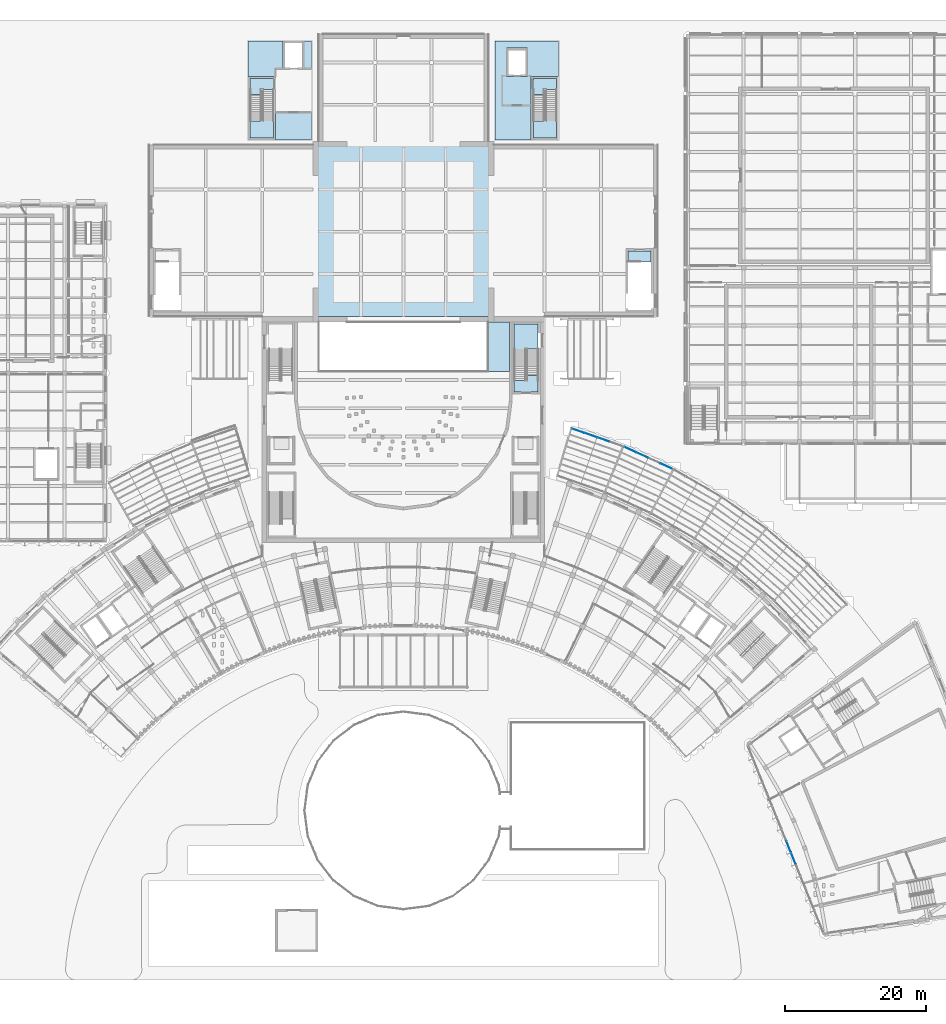
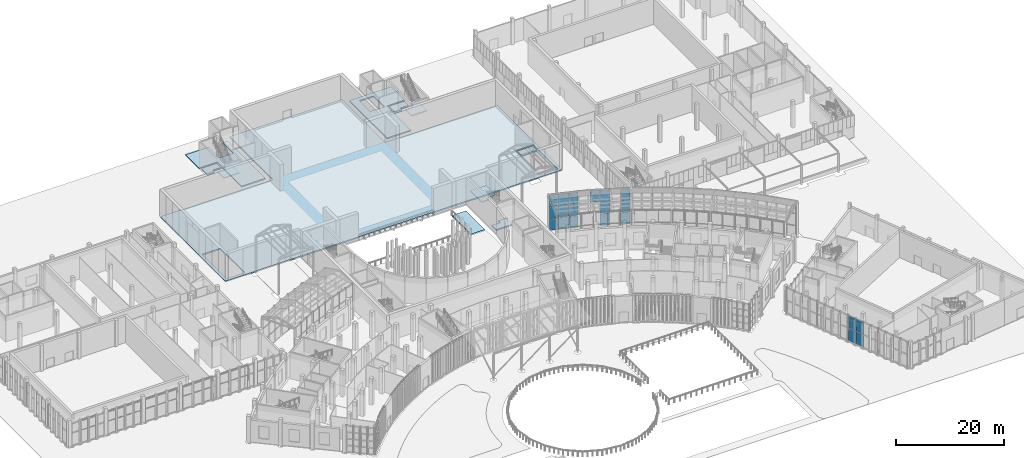
# One storey, part 85 of 155: 20 plates, 11 slabs, 6 elements without a shape of their own.
"""IFC4 building model written with IfcOpenShell, lengths in metres."""

from ifc_helpers import new_model, si_unit, direction, frame, origin, origin_2d, place, context, subcontext, project, spatial, polyline, rectangle, outline, extrude, material, layer, layer_set, type_object, element, aggregate, save


model = new_model("IFC4")

# Units and contexts
model_context = context("Model", 3, precision=1e-05, world=origin(), true_north=direction((0.0, 1.0)))
body_context = subcontext(model_context, "Body", "Model", "MODEL_VIEW")
ifc_project = project(units=[si_unit("LENGTHUNIT", "METRE"), si_unit("AREAUNIT", "SQUARE_METRE"), si_unit("VOLUMEUNIT", "CUBIC_METRE"), si_unit("PLANEANGLEUNIT", "RADIAN"), si_unit("MASSUNIT", "GRAM", prefix="KILO")], contexts=[model_context])

# Site, building, storey
site_placement = place(None, origin())
site = spatial("IfcSite", under=ifc_project, at=site_placement, CompositionType="ELEMENT")
building_placement = place(site_placement, origin())
building = spatial("IfcBuilding", under=site, at=building_placement, Name="Lunette Opera House", CompositionType="ELEMENT")
storey_placement = place(building_placement, origin())
storey = spatial("IfcBuildingStorey", under=building, at=storey_placement, Name="L00", CompositionType="ELEMENT", Elevation=0.0)

# Slabs
ifc_material_1 = material(Name="Concrete C35/45", Category="concrete")
ifc_layer_1 = layer(ifc_material_1, 0.300048828125)
ifc_layer_set_1 = layer_set([ifc_layer_1], Name="Concrete C35/45")
slab_type_1 = type_object("IfcSlabType", Name="CORE LANDING SLAB 300", PredefinedType="LANDING", material=ifc_layer_set_1)
slab_1_placement = place(storey_placement, frame((0.0, 0.0, -0.300048828125)))
element("IfcSlab", 1, at=slab_1_placement, inside=storey, type_object=slab_type_1, Name="ST11 floor landing", PredefinedType="LANDING", context=body_context, shape_type="SweptSolid", body=[
    extrude(outline(polyline([(77.60009765625, 129.699951171875), (77.60009765625, 128.139892578125), (76.050048828125, 128.139892578125), (76.050048828125, 128.14990234375), (75.85009765625, 128.14990234375), (75.85009765625, 127.449951171875), (74.300048828125, 127.449951171875), (74.300048828125, 129.699951171875), (77.60009765625, 129.699951171875)])), origin(), (0.0, 0.0, 1.0), 0.300048828125),
])
slab_2_placement = place(storey_placement, frame((0.0, 0.0, -0.300048828125)))
element("IfcSlab", 2, at=slab_2_placement, inside=storey, type_object=slab_type_1, Name="ST12 floor landing", PredefinedType="LANDING", context=body_context, shape_type="SweptSolid", body=[
    extrude(outline(polyline([(117.699951171875, 128.139892578125), (116.14990234375, 128.139892578125), (116.14990234375, 128.14990234375), (115.949951171875, 128.14990234375), (115.949951171875, 127.449951171875), (114.39990234375, 127.449951171875), (114.39990234375, 129.699951171875), (117.699951171875, 129.699951171875), (117.699951171875, 128.139892578125)])), origin(), (0.0, 0.0, 1.0), 0.300048828125),
])
slab_3_placement = place(storey_placement, frame((0.0, 0.0, -0.300048828125)))
element("IfcSlab", 3, at=slab_3_placement, inside=storey, type_object=slab_type_1, Name="ST14 floor landing", PredefinedType="LANDING", context=body_context, shape_type="SweptSolid", body=[
    extrude(outline(polyline([(131.10009765625, 103.739990234375), (129.550048828125, 103.739990234375), (129.550048828125, 103.75), (127.800048828125, 103.75), (127.800048828125, 105.300048828125), (131.10009765625, 105.300048828125), (131.10009765625, 103.739990234375)])), origin(), (0.0, 0.0, 1.0), 0.300048828125),
])
slab_4_placement = place(storey_placement, frame((0.0, 0.0, -0.300048828125)))
element("IfcSlab", 4, at=slab_4_placement, inside=storey, type_object=slab_type_1, Name="ST9 floor landing", PredefinedType="LANDING", context=body_context, shape_type="SweptSolid", body=[
    extrude(outline(polyline([(111.699951171875, 85.300048828125), (111.699951171875, 86.929931640625), (113.320068359375, 86.929931640625), (113.320068359375, 86.919921875), (113.47998046875, 86.919921875), (113.47998046875, 87.6201171875), (115.10009765625, 87.6201171875), (115.10009765625, 85.300048828125), (111.699951171875, 85.300048828125)])), origin(), (0.0, 0.0, 1.0), 0.300048828125),
])

# Curtain wall, plates
ifc_material_2 = material(Name="Aluminium", Category="aluminium")
ifc_layer_2 = layer(ifc_material_2, 0.139892578125)
ifc_layer_set_2 = layer_set([ifc_layer_2], Name="Aluminium")
curtain_wall_type_1 = type_object("IfcCurtainWallType", Name="STUDIO CURTAIN WALL", PredefinedType="NOTDEFINED", material=ifc_layer_set_2)
curtain_wall_1_placement = place(storey_placement, origin())
curtain_wall_1 = element("IfcCurtainWall", 5, at=curtain_wall_1_placement, inside=storey, type_object=curtain_wall_type_1, Name="Studio Curtain Wall F03 L00", PredefinedType="NOTDEFINED")
ifc_material_3 = material(Name="Laminated glass", Category="glass")
ifc_layer_3 = layer(ifc_material_3, 0.028076171875)
ifc_layer_set_3 = layer_set([ifc_layer_3], Name="Laminated glass")
plate_type = type_object("IfcPlateType", Name="CURTAIN PANEL LAMINATED GLASS 28", PredefinedType="CURTAIN_PANEL", material=ifc_layer_set_3)
plate_1_placement = place(storey_placement, frame((150.59228515625, 20.849853515625, 0.06005859375), z_axis=(0.0, 0.0, 1.0), x_axis=(0.37464584491, -0.927167994967, 0.0)))
plate_1 = element("IfcPlate", 6, at=plate_1_placement, type_object=plate_type, Name="SB-X2003 panel 1.1", PredefinedType="CURTAIN_PANEL", context=body_context, shape_type="SweptSolid", body=[
    extrude(rectangle(XDim=1.6962890625, YDim=0.028076171875, at=origin_2d()), origin(), (0.0, 0.0, 1.0), 2.800048828125),
])
plate_2_placement = place(storey_placement, frame((150.59228515625, 20.849853515625, 2.919921875), z_axis=(0.0, 0.0, 1.0), x_axis=(0.37464584491, -0.927167994967, 0.0)))
plate_2 = element("IfcPlate", 7, at=plate_2_placement, type_object=plate_type, Name="SB-X2003 panel 1.2", PredefinedType="CURTAIN_PANEL", context=body_context, shape_type="SweptSolid", body=[
    extrude(rectangle(XDim=1.6962890625, YDim=0.028076171875, at=origin_2d()), origin(), (0.0, 0.0, 1.0), 2.800048828125),
])
plate_3_placement = place(storey_placement, frame((151.255859375, 19.20751953125, 0.06005859375), z_axis=(0.0, 0.0, 1.0), x_axis=(0.37464584491, -0.927167994967, 0.0)))
plate_3 = element("IfcPlate", 8, at=plate_3_placement, type_object=plate_type, Name="SB-X2003 panel 2.1", PredefinedType="CURTAIN_PANEL", context=body_context, shape_type="SweptSolid", body=[
    extrude(rectangle(XDim=1.726318359375, YDim=0.028076171875, at=origin_2d()), origin(), (0.0, 0.0, 1.0), 2.800048828125),
])
plate_4_placement = place(storey_placement, frame((151.255859375, 19.20751953125, 2.919921875), z_axis=(0.0, 0.0, 1.0), x_axis=(0.37464584491, -0.927167994967, 0.0)))
plate_4 = element("IfcPlate", 9, at=plate_4_placement, type_object=plate_type, Name="SB-X2003 panel 2.2", PredefinedType="CURTAIN_PANEL", context=body_context, shape_type="SweptSolid", body=[
    extrude(rectangle(XDim=1.726318359375, YDim=0.028076171875, at=origin_2d()), origin(), (0.0, 0.0, 1.0), 2.800048828125),
])
aggregate(curtain_wall_1, [plate_1, plate_2, plate_3, plate_4])

ifc_material_4 = material(Name="Aluminium", Category="aluminium")
ifc_layer_4 = layer(ifc_material_4, 0.139892578125)
ifc_layer_set_4 = layer_set([ifc_layer_4], Name="Aluminium")
curtain_wall_type_2 = type_object("IfcCurtainWallType", Name="PASSAGE CURTAIN WALL", PredefinedType="NOTDEFINED", material=ifc_layer_set_4)
curtain_wall_2_placement = place(storey_placement, origin())
curtain_wall_2 = element("IfcCurtainWall", 10, at=curtain_wall_2_placement, inside=storey, type_object=curtain_wall_type_2, Name="Passage Curtain Wall EO1 L00", PredefinedType="NOTDEFINED")
plate_5_placement = place(storey_placement, frame((120.787109375, 79.79443359375, 0.06005859375), z_axis=(0.0, 0.0, 1.0), x_axis=(0.94446267546, -0.328618707109, 0.0)))
plate_5 = element("IfcPlate", 11, at=plate_5_placement, type_object=plate_type, Name="PP-X2007 panel 1.1", PredefinedType="CURTAIN_PANEL", context=body_context, shape_type="SweptSolid", body=[
    extrude(rectangle(XDim=1.788330078125, YDim=0.028076171875, at=origin_2d()), origin(), (0.0, 0.0, 1.0), 2.610107421875),
])
plate_6_placement = place(storey_placement, frame((120.787109375, 79.79443359375, 2.72998046875), z_axis=(0.0, 0.0, 1.0), x_axis=(0.94446267546, -0.328618707109, 0.0)))
plate_6 = element("IfcPlate", 12, at=plate_6_placement, type_object=plate_type, Name="PP-X2007 panel 1.2", PredefinedType="CURTAIN_PANEL", context=body_context, shape_type="SweptSolid", body=[
    extrude(rectangle(XDim=1.788330078125, YDim=0.028076171875, at=origin_2d()), origin(), (0.0, 0.0, 1.0), 2.639892578125),
])
plate_7_placement = place(storey_placement, frame((120.787109375, 79.79443359375, 5.43017578125), z_axis=(0.0, 0.0, 1.0), x_axis=(0.94446267546, -0.328618707109, 0.0)))
plate_7 = element("IfcPlate", 13, at=plate_7_placement, type_object=plate_type, Name="PP-X2007 panel 1.3", PredefinedType="CURTAIN_PANEL", context=body_context, shape_type="SweptSolid", body=[
    extrude(rectangle(XDim=1.788330078125, YDim=0.028076171875, at=origin_2d()), origin(), (0.0, 0.0, 1.0), 2.610107421875),
])
plate_8_placement = place(storey_placement, frame((122.547119140625, 79.18212890625, 0.06005859375), z_axis=(0.0, 0.0, 1.0), x_axis=(0.94446267546, -0.328618707109, 0.0)))
plate_8 = element("IfcPlate", 14, at=plate_8_placement, type_object=plate_type, Name="PP-X2007 panel 2.1", PredefinedType="CURTAIN_PANEL", context=body_context, shape_type="SweptSolid", body=[
    extrude(rectangle(XDim=1.818359375, YDim=0.028076171875, at=origin_2d()), origin(), (0.0, 0.0, 1.0), 2.610107421875),
])
plate_9_placement = place(storey_placement, frame((122.547119140625, 79.18212890625, 2.72998046875), z_axis=(0.0, 0.0, 1.0), x_axis=(0.94446267546, -0.328618707109, 0.0)))
plate_9 = element("IfcPlate", 15, at=plate_9_placement, type_object=plate_type, Name="PP-X2007 panel 2.2", PredefinedType="CURTAIN_PANEL", context=body_context, shape_type="SweptSolid", body=[
    extrude(rectangle(XDim=1.818359375, YDim=0.028076171875, at=origin_2d()), origin(), (0.0, 0.0, 1.0), 2.639892578125),
])
plate_10_placement = place(storey_placement, frame((122.547119140625, 79.18212890625, 5.43017578125), z_axis=(0.0, 0.0, 1.0), x_axis=(0.94446267546, -0.328618707109, 0.0)))
plate_10 = element("IfcPlate", 16, at=plate_10_placement, type_object=plate_type, Name="PP-X2007 panel 2.3", PredefinedType="CURTAIN_PANEL", context=body_context, shape_type="SweptSolid", body=[
    extrude(rectangle(XDim=1.818359375, YDim=0.028076171875, at=origin_2d()), origin(), (0.0, 0.0, 1.0), 2.610107421875),
])
plate_11_placement = place(storey_placement, frame((124.321044921875, 78.56494140625, 0.06005859375), z_axis=(0.0, 0.0, 1.0), x_axis=(0.94446267546, -0.328618707109, 0.0)))
plate_11 = element("IfcPlate", 17, at=plate_11_placement, type_object=plate_type, Name="PP-X2007 panel 3.1", PredefinedType="CURTAIN_PANEL", context=body_context, shape_type="SweptSolid", body=[
    extrude(rectangle(XDim=1.818359375, YDim=0.028076171875, at=origin_2d()), origin(), (0.0, 0.0, 1.0), 2.610107421875),
])
plate_12_placement = place(storey_placement, frame((124.321044921875, 78.56494140625, 2.72998046875), z_axis=(0.0, 0.0, 1.0), x_axis=(0.94446267546, -0.328618707109, 0.0)))
plate_12 = element("IfcPlate", 18, at=plate_12_placement, type_object=plate_type, Name="PP-X2007 panel 3.2", PredefinedType="CURTAIN_PANEL", context=body_context, shape_type="SweptSolid", body=[
    extrude(rectangle(XDim=1.818359375, YDim=0.028076171875, at=origin_2d()), origin(), (0.0, 0.0, 1.0), 2.639892578125),
])
plate_13_placement = place(storey_placement, frame((124.321044921875, 78.56494140625, 5.43017578125), z_axis=(0.0, 0.0, 1.0), x_axis=(0.94446267546, -0.328618707109, 0.0)))
plate_13 = element("IfcPlate", 19, at=plate_13_placement, type_object=plate_type, Name="PP-X2007 panel 3.3", PredefinedType="CURTAIN_PANEL", context=body_context, shape_type="SweptSolid", body=[
    extrude(rectangle(XDim=1.818359375, YDim=0.028076171875, at=origin_2d()), origin(), (0.0, 0.0, 1.0), 2.610107421875),
])
aggregate(curtain_wall_2, [plate_5, plate_6, plate_7, plate_8, plate_9, plate_10, plate_11, plate_12, plate_13])

curtain_wall_3_placement = place(storey_placement, origin())
curtain_wall_3 = element("IfcCurtainWall", 20, at=curtain_wall_3_placement, inside=storey, type_object=curtain_wall_type_2, Name="Passage Curtain Wall EO2 L00", PredefinedType="NOTDEFINED")
plate_14_placement = place(storey_placement, frame((128.128173828125, 77.1318359375, 5.43017578125), z_axis=(0.0, 0.0, 1.0), x_axis=(0.909727345747, -0.415206161321, 0.0)))
plate_14 = element("IfcPlate", 21, at=plate_14_placement, type_object=plate_type, Name="PP-X2008 panel 1.3", PredefinedType="CURTAIN_PANEL", context=body_context, shape_type="SweptSolid", body=[
    extrude(rectangle(XDim=1.78857421875, YDim=0.028076171875, at=origin_2d()), origin(), (0.0, 0.0, 1.0), 2.610107421875),
])
plate_15_placement = place(storey_placement, frame((129.823486328125, 76.35791015625, 0.06005859375), z_axis=(0.0, 0.0, 1.0), x_axis=(0.909727345747, -0.415206161321, 0.0)))
plate_15 = element("IfcPlate", 22, at=plate_15_placement, type_object=plate_type, Name="PP-X2008 panel 2.1", PredefinedType="CURTAIN_PANEL", context=body_context, shape_type="SweptSolid", body=[
    extrude(rectangle(XDim=1.818603515625, YDim=0.028076171875, at=origin_2d()), origin(), (0.0, 0.0, 1.0), 2.610107421875),
])
plate_16_placement = place(storey_placement, frame((129.823486328125, 76.35791015625, 2.72998046875), z_axis=(0.0, 0.0, 1.0), x_axis=(0.909727345747, -0.415206161321, 0.0)))
plate_16 = element("IfcPlate", 23, at=plate_16_placement, type_object=plate_type, Name="PP-X2008 panel 2.2", PredefinedType="CURTAIN_PANEL", context=body_context, shape_type="SweptSolid", body=[
    extrude(rectangle(XDim=1.818603515625, YDim=0.028076171875, at=origin_2d()), origin(), (0.0, 0.0, 1.0), 2.639892578125),
])
plate_17_placement = place(storey_placement, frame((129.823486328125, 76.35791015625, 5.43017578125), z_axis=(0.0, 0.0, 1.0), x_axis=(0.909727345747, -0.415206161321, 0.0)))
plate_17 = element("IfcPlate", 24, at=plate_17_placement, type_object=plate_type, Name="PP-X2008 panel 2.3", PredefinedType="CURTAIN_PANEL", context=body_context, shape_type="SweptSolid", body=[
    extrude(rectangle(XDim=1.818603515625, YDim=0.028076171875, at=origin_2d()), origin(), (0.0, 0.0, 1.0), 2.610107421875),
])
plate_18_placement = place(storey_placement, frame((133.227783203125, 74.80419921875, 0.06005859375), z_axis=(0.0, 0.0, 1.0), x_axis=(0.909727345747, -0.415206161321, 0.0)))
plate_18 = element("IfcPlate", 25, at=plate_18_placement, type_object=plate_type, Name="PP-X2008 panel 4.1", PredefinedType="CURTAIN_PANEL", context=body_context, shape_type="SweptSolid", body=[
    extrude(rectangle(XDim=1.78857421875, YDim=0.028076171875, at=origin_2d()), origin(), (0.0, 0.0, 1.0), 2.610107421875),
])
plate_19_placement = place(storey_placement, frame((133.227783203125, 74.80419921875, 2.72998046875), z_axis=(0.0, 0.0, 1.0), x_axis=(0.909727345747, -0.415206161321, 0.0)))
plate_19 = element("IfcPlate", 26, at=plate_19_placement, type_object=plate_type, Name="PP-X2008 panel 4.2", PredefinedType="CURTAIN_PANEL", context=body_context, shape_type="SweptSolid", body=[
    extrude(rectangle(XDim=1.78857421875, YDim=0.028076171875, at=origin_2d()), origin(), (0.0, 0.0, 1.0), 2.639892578125),
])
plate_20_placement = place(storey_placement, frame((133.227783203125, 74.80419921875, 5.43017578125), z_axis=(0.0, 0.0, 1.0), x_axis=(0.909727345747, -0.415206161321, 0.0)))
plate_20 = element("IfcPlate", 27, at=plate_20_placement, type_object=plate_type, Name="PP-X2008 panel 4.3", PredefinedType="CURTAIN_PANEL", context=body_context, shape_type="SweptSolid", body=[
    extrude(rectangle(XDim=1.78857421875, YDim=0.028076171875, at=origin_2d()), origin(), (0.0, 0.0, 1.0), 2.610107421875),
])
aggregate(curtain_wall_3, [plate_14, plate_15, plate_16, plate_17, plate_18, plate_19, plate_20])

# Slabs
ifc_material_5 = material(Name="Concrete C35/45", Category="concrete")
ifc_layer_5 = layer(ifc_material_5, 0.300048828125)
ifc_layer_set_5 = layer_set([ifc_layer_5], Name="Concrete C35/45")
slab_type_2 = type_object("IfcSlabType", Name="FLOOR SLAB 300", PredefinedType="FLOOR", material=ifc_layer_set_5)
slab_5_placement = place(storey_placement, frame((0.0, 0.0, -1.800048828125)))
element("IfcSlab", 28, at=slab_5_placement, inside=storey, type_object=slab_type_2, Name="slab-AU-L00-FS2", PredefinedType="FLOOR", context=body_context, shape_type="SweptSolid", body=[
    extrude(outline(polyline([(111.0, 95.199951171875), (108.0, 95.199951171875), (108.0, 88.199951171875), (111.0, 88.199951171875), (111.0, 95.199951171875)])), origin(), (0.0, 0.0, 1.0), 0.300048828125),
])
slab_6_placement = place(storey_placement, frame((0.0, 0.0, -0.300048828125)))
element("IfcSlab", 29, at=slab_6_placement, inside=storey, type_object=slab_type_2, Name="slab-ST-L00-F1", PredefinedType="FLOOR", context=body_context, shape_type="SweptSolid", body=[
    extrude(outline(polyline([(60.0, 120.0), (60.0, 96.0), (84.0, 96.0), (108.0, 96.0), (132.0, 96.0), (132.0, 120.0), (108.0, 120.0), (108.0, 136.0), (84.0, 136.0), (84.0, 120.0), (60.0, 120.0)]), holes=[polyline([(60.60009765625, 96.60009765625), (60.60009765625, 105.60009765625), (64.5, 105.60009765625), (64.5, 96.60009765625), (60.60009765625, 96.60009765625)]), polyline([(127.5, 105.60009765625), (131.39990234375, 105.60009765625), (131.39990234375, 96.60009765625), (127.5, 96.60009765625), (127.5, 105.60009765625)])]), origin(), (0.0, 0.0, 1.0), 0.300048828125),
])
slab_7_placement = place(storey_placement, frame((0.0, 0.0, -0.300048828125)))
element("IfcSlab", 30, at=slab_7_placement, inside=storey, type_object=slab_type_2, Name="slab-ST-L00-F2", PredefinedType="FLOOR", context=body_context, shape_type="SweptSolid", body=[
    extrude(outline(polyline([(83.0, 135.0), (81.949951171875, 135.0), (81.949951171875, 131.0), (78.949951171875, 131.0), (78.949951171875, 135.0), (74.0, 135.0), (74.0, 130.0), (77.89990234375, 130.0), (77.89990234375, 121.0), (83.0, 121.0), (83.0, 135.0)])), origin(), (0.0, 0.0, 1.0), 0.300048828125),
])
slab_8_placement = place(storey_placement, frame((0.0, 0.0, -0.300048828125)))
element("IfcSlab", 31, at=slab_8_placement, inside=storey, type_object=slab_type_2, Name="slab-ST-L00-F3", PredefinedType="FLOOR", context=body_context, shape_type="SweptSolid", body=[
    extrude(outline(polyline([(118.0, 135.0), (109.0, 135.0), (109.0, 121.0), (114.10009765625, 121.0), (114.10009765625, 130.0), (118.0, 130.0), (118.0, 135.0)]), holes=[polyline([(110.60009765625, 134.0), (113.60009765625, 134.0), (113.60009765625, 130.0), (110.60009765625, 130.0), (110.60009765625, 134.0)])]), origin(), (0.0, 0.0, 1.0), 0.300048828125),
])

# Stair, slab
ifc_material_6 = material(Name="Concrete C35/45", Category="concrete")
stair_type_1 = type_object("IfcStairType", Name="DOGLEG STAIR 1550", PredefinedType="HALF_TURN_STAIR", material=ifc_material_6)
stair_1_placement = place(storey_placement, origin())
stair_1 = element("IfcStair", 32, at=stair_1_placement, inside=storey, type_object=stair_type_1, Name="L00 stair ST11", PredefinedType="HALF_TURN_STAIR")
ifc_material_7 = material(Name="Concrete C35/45", Category="concrete")
ifc_layer_6 = layer(ifc_material_7, 0.199951171875)
ifc_layer_set_6 = layer_set([ifc_layer_6], Name="Concrete C35/45")
slab_type_3 = type_object("IfcSlabType", Name="STAIR LANDING SLAB 200", PredefinedType="LANDING", material=ifc_layer_set_6)
slab_9_placement = place(storey_placement, frame((0.0, 0.0, 2.800048828125)))
slab_9 = element("IfcSlab", 33, at=slab_9_placement, type_object=slab_type_3, Name="ST11 landing 1", PredefinedType="LANDING", context=body_context, shape_type="SweptSolid", body=[
    extrude(outline(polyline([(74.300048828125, 121.300048828125), (74.300048828125, 123.679931640625), (75.85009765625, 123.679931640625), (75.85009765625, 123.669921875), (76.050048828125, 123.669921875), (76.050048828125, 124.3701171875), (77.60009765625, 124.3701171875), (77.60009765625, 121.300048828125), (74.300048828125, 121.300048828125)])), origin(), (0.0, 0.0, 1.0), 0.199951171875),
])
aggregate(stair_1, [slab_9])

stair_2_placement = place(storey_placement, origin())
stair_2 = element("IfcStair", 34, at=stair_2_placement, inside=storey, type_object=stair_type_1, Name="L00 stair ST12", PredefinedType="HALF_TURN_STAIR")
slab_10_placement = place(storey_placement, frame((0.0, 0.0, 2.800048828125)))
slab_10 = element("IfcSlab", 35, at=slab_10_placement, type_object=slab_type_3, Name="ST12 landing 1", PredefinedType="LANDING", context=body_context, shape_type="SweptSolid", body=[
    extrude(outline(polyline([(114.39990234375, 121.300048828125), (114.39990234375, 123.679931640625), (115.949951171875, 123.679931640625), (115.949951171875, 123.669921875), (116.14990234375, 123.669921875), (116.14990234375, 124.3701171875), (117.699951171875, 124.3701171875), (117.699951171875, 121.300048828125), (114.39990234375, 121.300048828125)])), origin(), (0.0, 0.0, 1.0), 0.199951171875),
])
aggregate(stair_2, [slab_10])

ifc_material_8 = material(Name="Concrete C35/45", Category="concrete")
stair_type_2 = type_object("IfcStairType", Name="DOGLEG STAIR 1620", PredefinedType="HALF_TURN_STAIR", material=ifc_material_8)
stair_3_placement = place(storey_placement, origin())
stair_3 = element("IfcStair", 36, at=stair_3_placement, inside=storey, type_object=stair_type_2, Name="L00 stair ST9", PredefinedType="HALF_TURN_STAIR")
slab_11_placement = place(storey_placement, frame((0.0, 0.0, 2.800048828125)))
slab_11 = element("IfcSlab", 37, at=slab_11_placement, type_object=slab_type_3, Name="ST9 landing 1", PredefinedType="LANDING", context=body_context, shape_type="SweptSolid", body=[
    extrude(outline(polyline([(115.10009765625, 94.89990234375), (115.10009765625, 91.389892578125), (113.47998046875, 91.389892578125), (113.47998046875, 91.39990234375), (113.320068359375, 91.39990234375), (113.320068359375, 90.699951171875), (111.699951171875, 90.699951171875), (111.699951171875, 94.89990234375), (115.10009765625, 94.89990234375)])), origin(), (0.0, 0.0, 1.0), 0.199951171875),
])
aggregate(stair_3, [slab_11])

save(model, "model.ifc")
